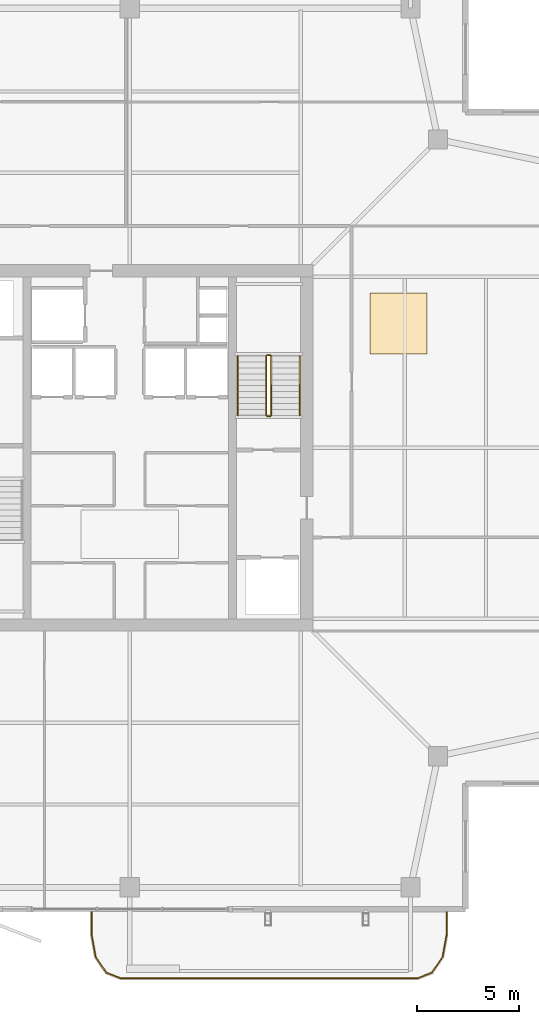
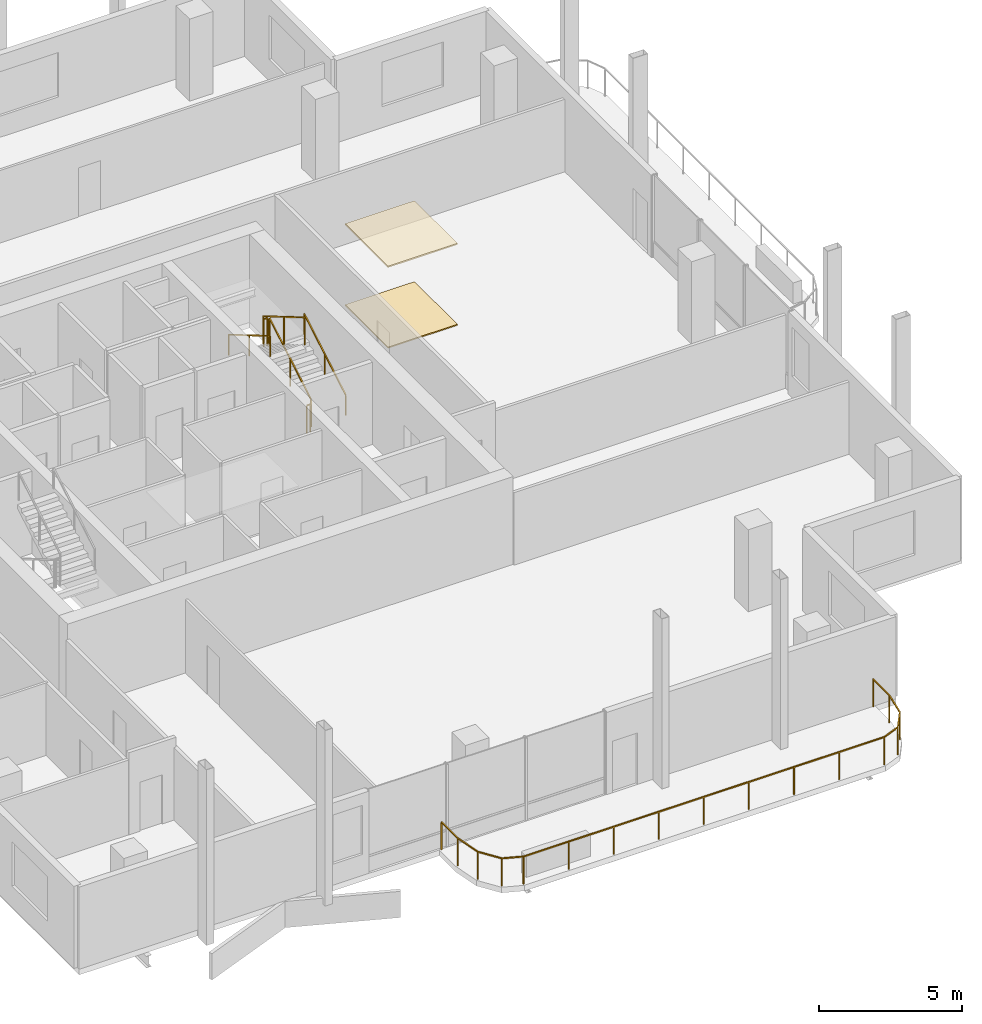
# One storey, part 19 of 20: 7 railings, 2 coverings.
"""IFC4 building model written with IfcOpenShell, lengths in metres."""

from ifc_helpers import new_model, si_unit, direction, frame, origin, origin_2d, place, context, subcontext, project, spatial, polyline, rectangle, outline, extrude, material, layer, layer_set, type_object, element, save


model = new_model("IFC4")

# Units and contexts
model_context = context("Model", 3, precision=1e-05, world=origin(), true_north=direction((0.0, 1.0)))
body_context = subcontext(model_context, "Body", "Model", "MODEL_VIEW")
ifc_project = project(units=[si_unit("LENGTHUNIT", "METRE"), si_unit("AREAUNIT", "SQUARE_METRE"), si_unit("VOLUMEUNIT", "CUBIC_METRE"), si_unit("PLANEANGLEUNIT", "RADIAN"), si_unit("MASSUNIT", "GRAM", prefix="KILO")], contexts=[model_context])

# Site, building, storey
site_placement = place(None, origin())
site = spatial("IfcSite", under=ifc_project, at=site_placement, CompositionType="ELEMENT")
building_placement = place(site_placement, origin())
building = spatial("IfcBuilding", under=site, at=building_placement, Name="Belovzor Exchange Tower", CompositionType="ELEMENT")
storey_placement = place(building_placement, frame((0.0, 0.0, 299.25)))
storey = spatial("IfcBuildingStorey", under=building, at=storey_placement, Name="L74", CompositionType="ELEMENT", Elevation=299.25)

# Railings
ifc_material_1 = material(Name="Stainless Steel Grade 304", Category="steel")
railing_type_1 = type_object("IfcRailingType", Name="Brushed Stainless Steel Stair Handrail 900", PredefinedType="HANDRAIL", material=ifc_material_1)
railing_1_placement = place(storey_placement, frame((37.14990234375, 30.39990234375, 0.17041015625)))
element("IfcRailing", 1, at=railing_1_placement, inside=storey, type_object=railing_type_1, Name="L74 ST-2 stair handrail 1", PredefinedType="HANDRAIL", context=body_context, shape_type="SweptSolid", body=[
    extrude(rectangle(XDim=0.048095703125, YDim=0.048095703125, at=origin_2d()), frame((0.0, 0.0, 0.8759765625), z_axis=(0.0, 0.862113265706, 0.506715617574), x_axis=(-1.0, 0.0, 0.0)), (0.0, 0.0, 1.0), 3.364013671875),
    extrude(rectangle(XDim=0.0419921875, YDim=0.0419921875, at=origin_2d()), origin(), (0.0, 0.0, 1.0), 0.851806640625),
    extrude(rectangle(XDim=0.0419921875, YDim=0.0419921875, at=origin_2d()), frame((0.0, 1.4501953125, 0.852294921875)), (0.0, 0.0, 1.0), 0.851806640625),
    extrude(rectangle(XDim=0.0419921875, YDim=0.0419921875, at=origin_2d()), frame((0.0, 2.900146484375, 1.70458984375)), (0.0, 0.0, 1.0), 0.851806640625),
])
railing_2_placement = place(storey_placement, frame((34.10009765625, 33.300048828125, 2.04541015625)))
element("IfcRailing", 2, at=railing_2_placement, inside=storey, type_object=railing_type_1, Name="L74 ST-2 stair handrail 2", PredefinedType="HANDRAIL", context=body_context, shape_type="SweptSolid", body=[
    extrude(rectangle(XDim=0.048095703125, YDim=0.048095703125, at=origin_2d()), frame((0.0, 0.0, 0.8759765625), z_axis=(0.0, -0.862113265706, 0.506715617574), x_axis=(1.0, 0.0, 0.0)), (0.0, 0.0, 1.0), 3.364013671875),
    extrude(rectangle(XDim=0.0419921875, YDim=0.0419921875, at=origin_2d()), origin(), (0.0, 0.0, 1.0), 0.851806640625),
    extrude(rectangle(XDim=0.0419921875, YDim=0.0419921875, at=origin_2d()), frame((0.0, -1.4501953125, 0.852294921875)), (0.0, 0.0, 1.0), 0.851806640625),
    extrude(rectangle(XDim=0.0419921875, YDim=0.0419921875, at=origin_2d()), frame((0.0, -2.900146484375, 1.70458984375)), (0.0, 0.0, 1.0), 0.851806640625),
])
ifc_material_2 = material(Name="Stainless Steel and Laminated Safety Glass", Category="steel")
railing_type_2 = type_object("IfcRailingType", Name="Laminated Glass & Stainless Steel Balcony Balustrade 1200", PredefinedType="BALUSTRADE", material=ifc_material_2)
railing_3_placement = place(storey_placement, frame((26.929931640625, 5.989990234375, 0.0)))
element("IfcRailing", 3, at=railing_3_placement, inside=storey, type_object=railing_type_2, Name="GR-1 Balcony Balustrade L74 South", PredefinedType="BALUSTRADE", context=body_context, shape_type="SweptSolid", body=[
    extrude(rectangle(XDim=0.048095703125, YDim=0.048095703125, at=origin_2d()), frame((0.0, 0.0, 1.17578125), z_axis=(0.0, -1.0, 0.0), x_axis=(1.0, 0.0, 0.0)), (0.0, 0.0, 1.0), 1.133056640625),
    extrude(rectangle(XDim=0.048095703125, YDim=0.048095703125, at=origin_2d()), frame((0.0, -1.133056640625, 1.17578125), z_axis=(0.180122719713, -0.983644145941, 0.0), x_axis=(0.983644145941, 0.180122719713, 0.0)), (0.0, 0.0, 1.0), 1.09375),
    extrude(rectangle(XDim=0.048095703125, YDim=0.048095703125, at=origin_2d()), frame((0.197021484375, -2.208984375, 1.17578125), z_axis=(0.56294695933, -0.826493025367, 0.0), x_axis=(0.826493025367, 0.56294695933, 0.0)), (0.0, 0.0, 1.0), 0.932861328125),
    extrude(rectangle(XDim=0.048095703125, YDim=0.048095703125, at=origin_2d()), frame((0.72216796875, -2.97998046875, 1.17578125), z_axis=(0.930766990125, -0.365612923861, 0.0), x_axis=(0.365612923861, 0.930766990125, 0.0)), (0.0, 0.0, 1.0), 0.765869140625),
    extrude(rectangle(XDim=0.048095703125, YDim=0.048095703125, at=origin_2d()), frame((1.43505859375, -3.260009765625, 1.17578125), z_axis=(1.0, 0.0, 0.0), x_axis=(0.0, 1.0, 0.0)), (0.0, 0.0, 1.0), 14.570068359375),
    extrude(rectangle(XDim=0.048095703125, YDim=0.048095703125, at=origin_2d()), frame((16.005126953125, -3.260009765625, 1.17578125), z_axis=(0.930766990125, 0.365612923861, 0.0), x_axis=(-0.365612923861, 0.930766990125, 0.0)), (0.0, 0.0, 1.0), 0.765869140625),
    extrude(rectangle(XDim=0.048095703125, YDim=0.048095703125, at=origin_2d()), frame((16.718017578125, -2.97998046875, 1.17578125), z_axis=(0.56294695933, 0.826493025367, 0.0), x_axis=(-0.826493025367, 0.56294695933, 0.0)), (0.0, 0.0, 1.0), 0.932861328125),
    extrude(rectangle(XDim=0.048095703125, YDim=0.048095703125, at=origin_2d()), frame((17.2431640625, -2.208984375, 1.17578125), z_axis=(0.180122719713, 0.983644145941, 0.0), x_axis=(-0.983644145941, 0.180122719713, 0.0)), (0.0, 0.0, 1.0), 1.09375),
    extrude(rectangle(XDim=0.048095703125, YDim=0.048095703125, at=origin_2d()), frame((17.440185546875, -1.133056640625, 1.17578125), z_axis=(0.0, 1.0, 0.0), x_axis=(-1.0, 0.0, 0.0)), (0.0, 0.0, 1.0), 1.133056640625),
    extrude(rectangle(XDim=0.0419921875, YDim=0.0419921875, at=origin_2d()), origin(), (0.0, 0.0, 1.0), 1.15185546875),
    extrude(rectangle(XDim=0.0419921875, YDim=0.0419921875, at=origin_2d()), frame((0.0, -1.133056640625, 0.0)), (0.0, 0.0, 1.0), 1.15185546875),
    extrude(rectangle(XDim=0.0419921875, YDim=0.0419921875, at=origin_2d()), frame((0.197021484375, -2.208984375, 0.0)), (0.0, 0.0, 1.0), 1.15185546875),
    extrude(rectangle(XDim=0.0419921875, YDim=0.0419921875, at=origin_2d()), frame((0.72216796875, -2.97998046875, 0.0)), (0.0, 0.0, 1.0), 1.15185546875),
    extrude(rectangle(XDim=0.0419921875, YDim=0.0419921875, at=origin_2d()), frame((1.43505859375, -3.260009765625, 0.0)), (0.0, 0.0, 1.0), 1.15185546875),
    extrude(rectangle(XDim=0.0419921875, YDim=0.0419921875, at=origin_2d()), frame((3.25634765625, -3.260009765625, 0.0)), (0.0, 0.0, 1.0), 1.15185546875),
    extrude(rectangle(XDim=0.0419921875, YDim=0.0419921875, at=origin_2d()), frame((5.07763671875, -3.260009765625, 0.0)), (0.0, 0.0, 1.0), 1.15185546875),
    extrude(rectangle(XDim=0.0419921875, YDim=0.0419921875, at=origin_2d()), frame((6.89892578125, -3.260009765625, 0.0)), (0.0, 0.0, 1.0), 1.15185546875),
    extrude(rectangle(XDim=0.0419921875, YDim=0.0419921875, at=origin_2d()), frame((8.72021484375, -3.260009765625, 0.0)), (0.0, 0.0, 1.0), 1.15185546875),
    extrude(rectangle(XDim=0.0419921875, YDim=0.0419921875, at=origin_2d()), frame((10.541259765625, -3.260009765625, 0.0)), (0.0, 0.0, 1.0), 1.15185546875),
    extrude(rectangle(XDim=0.0419921875, YDim=0.0419921875, at=origin_2d()), frame((12.362548828125, -3.260009765625, 0.0)), (0.0, 0.0, 1.0), 1.15185546875),
    extrude(rectangle(XDim=0.0419921875, YDim=0.0419921875, at=origin_2d()), frame((14.183837890625, -3.260009765625, 0.0)), (0.0, 0.0, 1.0), 1.15185546875),
    extrude(rectangle(XDim=0.0419921875, YDim=0.0419921875, at=origin_2d()), frame((16.005126953125, -3.260009765625, 0.0)), (0.0, 0.0, 1.0), 1.15185546875),
    extrude(rectangle(XDim=0.0419921875, YDim=0.0419921875, at=origin_2d()), frame((16.718017578125, -2.97998046875, 0.0)), (0.0, 0.0, 1.0), 1.15185546875),
    extrude(rectangle(XDim=0.0419921875, YDim=0.0419921875, at=origin_2d()), frame((17.2431640625, -2.208984375, 0.0)), (0.0, 0.0, 1.0), 1.15185546875),
    extrude(rectangle(XDim=0.0419921875, YDim=0.0419921875, at=origin_2d()), frame((17.440185546875, -1.133056640625, 0.0)), (0.0, 0.0, 1.0), 1.15185546875),
    extrude(rectangle(XDim=0.0419921875, YDim=0.0419921875, at=origin_2d()), frame((17.440185546875, 0.0, 0.0)), (0.0, 0.0, 1.0), 1.15185546875),
])
ifc_material_3 = material(Name="Steel S355", Category="steel")
railing_type_3 = type_object("IfcRailingType", Name="Painted Steel Stairwell Guardrail 1200", PredefinedType="GUARDRAIL", material=ifc_material_3)
railing_4_placement = place(storey_placement, frame((35.75, 30.39990234375, 0.17041015625)))
element("IfcRailing", 4, at=railing_4_placement, inside=storey, type_object=railing_type_3, Name="L74 ST-2 stair guard 1", PredefinedType="GUARDRAIL", context=body_context, shape_type="SweptSolid", body=[
    extrude(rectangle(XDim=0.048095703125, YDim=0.048095703125, at=origin_2d()), frame((0.0, 0.0, 1.17578125), z_axis=(0.0, 0.862113265706, 0.506715617574), x_axis=(-1.0, 0.0, 0.0)), (0.0, 0.0, 1.0), 3.364013671875),
    extrude(rectangle(XDim=0.0419921875, YDim=0.0419921875, at=origin_2d()), origin(), (0.0, 0.0, 1.0), 1.15185546875),
    extrude(rectangle(XDim=0.0419921875, YDim=0.0419921875, at=origin_2d()), frame((0.0, 1.4501953125, 0.852294921875)), (0.0, 0.0, 1.0), 1.15185546875),
    extrude(rectangle(XDim=0.0419921875, YDim=0.0419921875, at=origin_2d()), frame((0.0, 2.900146484375, 1.70458984375)), (0.0, 0.0, 1.0), 1.15185546875),
])
railing_5_placement = place(storey_placement, frame((35.699951171875, 33.35009765625, 1.875)))
element("IfcRailing", 5, at=railing_5_placement, inside=storey, type_object=railing_type_3, Name="L74 ST-2 stair guard 2", PredefinedType="GUARDRAIL", context=body_context, shape_type="SweptSolid", body=[
    extrude(rectangle(XDim=0.048095703125, YDim=0.048095703125, at=origin_2d()), frame((0.0, 0.0, 1.17578125), z_axis=(-1.0, 0.0, 0.0), x_axis=(0.0, -1.0, 0.0)), (0.0, 0.0, 1.0), 0.14990234375),
    extrude(rectangle(XDim=0.0419921875, YDim=0.0419921875, at=origin_2d()), origin(), (0.0, 0.0, 1.0), 1.15185546875),
    extrude(rectangle(XDim=0.0419921875, YDim=0.0419921875, at=origin_2d()), frame((-0.14990234375, 0.0, 0.0)), (0.0, 0.0, 1.0), 1.15185546875),
])
railing_6_placement = place(storey_placement, frame((35.5, 33.300048828125, 2.04541015625)))
element("IfcRailing", 6, at=railing_6_placement, inside=storey, type_object=railing_type_3, Name="L74 ST-2 stair guard 3", PredefinedType="GUARDRAIL", context=body_context, shape_type="SweptSolid", body=[
    extrude(rectangle(XDim=0.048095703125, YDim=0.048095703125, at=origin_2d()), frame((0.0, 0.0, 1.17578125), z_axis=(0.0, -0.862113265706, 0.506715617574), x_axis=(1.0, 0.0, 0.0)), (0.0, 0.0, 1.0), 3.364013671875),
    extrude(rectangle(XDim=0.0419921875, YDim=0.0419921875, at=origin_2d()), origin(), (0.0, 0.0, 1.0), 1.15185546875),
    extrude(rectangle(XDim=0.0419921875, YDim=0.0419921875, at=origin_2d()), frame((0.0, -1.4501953125, 0.852294921875)), (0.0, 0.0, 1.0), 1.15185546875),
    extrude(rectangle(XDim=0.0419921875, YDim=0.0419921875, at=origin_2d()), frame((0.0, -2.900146484375, 1.70458984375)), (0.0, 0.0, 1.0), 1.15185546875),
])
railing_7_placement = place(storey_placement, frame((35.699951171875, 30.35009765625, 0.0)))
element("IfcRailing", 7, at=railing_7_placement, inside=storey, type_object=railing_type_3, Name="L74 ST-2 stair guard 4", PredefinedType="GUARDRAIL", context=body_context, shape_type="SweptSolid", body=[
    extrude(rectangle(XDim=0.048095703125, YDim=0.048095703125, at=origin_2d()), frame((0.0, 0.0, 1.17578125), z_axis=(-1.0, 0.0, 0.0), x_axis=(0.0, -1.0, 0.0)), (0.0, 0.0, 1.0), 0.14990234375),
    extrude(rectangle(XDim=0.0419921875, YDim=0.0419921875, at=origin_2d()), origin(), (0.0, 0.0, 1.0), 1.15185546875),
    extrude(rectangle(XDim=0.0419921875, YDim=0.0419921875, at=origin_2d()), frame((-0.14990234375, 0.0, 0.0)), (0.0, 0.0, 1.0), 1.15185546875),
])

# Coverings
ifc_material_4 = material(Name="Perforated Powder-Coated Aluminium", Category="aluminium")
ifc_layer_1 = layer(ifc_material_4, 0.06005859375)
ifc_layer_set_1 = layer_set([ifc_layer_1], Name="Perforated Powder-Coated Aluminium")
covering_type_1 = type_object("IfcCoveringType", Name="Perforated Acoustic Metal Tile Suspended Ceiling 60", PredefinedType="CEILING", material=ifc_layer_set_1)
covering_1_placement = place(storey_placement, frame((0.0, 0.0, 3.449951171875)))
element("IfcCovering", 8, at=covering_1_placement, inside=storey, type_object=covering_type_1, Name="CLG-AC60 Suspended Ceiling CLG-L74-Z2", PredefinedType="CEILING", context=body_context, shape_type="SweptSolid", body=[
    extrude(outline(polyline([(40.60009765625, 33.39990234375), (43.39990234375, 33.39990234375), (43.39990234375, 36.39990234375), (40.60009765625, 36.39990234375), (40.60009765625, 33.39990234375)])), origin(), (0.0, 0.0, 1.0), 0.06005859375),
])
ifc_material_5 = material(Name="Polished Natural Granite Tile", Category="masonry")
ifc_layer_2 = layer(ifc_material_5, 0.050048828125)
ifc_layer_set_2 = layer_set([ifc_layer_2], Name="Polished Natural Granite Tile")
covering_type_2 = type_object("IfcCoveringType", Name="Polished Karelian Granite & Raised Access Floor Finish 50", PredefinedType="FLOORING", material=ifc_layer_set_2)
covering_2_placement = place(storey_placement, origin())
element("IfcCovering", 9, at=covering_2_placement, inside=storey, type_object=covering_type_2, Name="FLR-GR50 Floor Finish FLR-L74-Z2", PredefinedType="FLOORING", context=body_context, shape_type="SweptSolid", body=[
    extrude(outline(polyline([(40.60009765625, 33.39990234375), (43.39990234375, 33.39990234375), (43.39990234375, 36.39990234375), (40.60009765625, 36.39990234375), (40.60009765625, 33.39990234375)])), origin(), (0.0, 0.0, 1.0), 0.050048828125),
])

save(model, "model.ifc")
